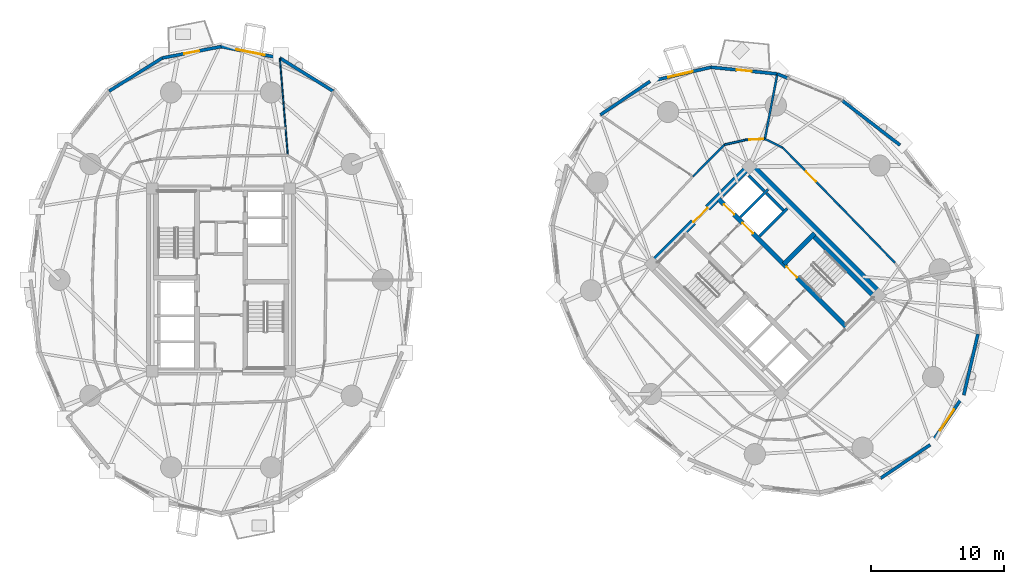
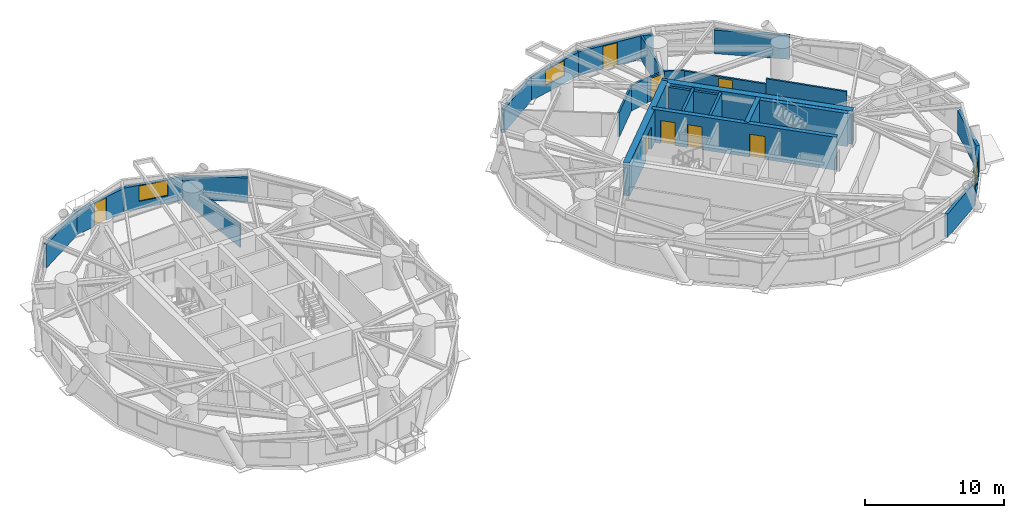
# One storey, part 14 of 18: 29 walls, 8 doors, 3 windows, 11 openings.
"""IFC4 building model written with IfcOpenShell, lengths in metres."""

from ifc_helpers import new_model, si_unit, direction, frame, frame_2d, origin, place, context, subcontext, project, spatial, rectangle, extrude, source, transform, mapped, material, layer, layer_set, type_object, element, fill, save


model = new_model("IFC4")

# Units and contexts
model_context = context("Model", 3, precision=1e-05, world=origin(), true_north=direction((0.0, 1.0)))
body_context = subcontext(model_context, "Body", "Model", "MODEL_VIEW")
ifc_project = project(units=[si_unit("LENGTHUNIT", "METRE"), si_unit("AREAUNIT", "SQUARE_METRE"), si_unit("VOLUMEUNIT", "CUBIC_METRE"), si_unit("PLANEANGLEUNIT", "RADIAN"), si_unit("MASSUNIT", "GRAM", prefix="KILO")], contexts=[model_context])

# Site, building, storey
site_placement = place(None, origin())
site = spatial("IfcSite", under=ifc_project, at=site_placement, CompositionType="ELEMENT")
building_placement = place(site_placement, origin())
building = spatial("IfcBuilding", under=site, at=building_placement, Name="Cununo Teusaquillo Station Towers", CompositionType="ELEMENT")
storey_placement = place(building_placement, frame((0.0, 0.0, 22.0)))
storey = spatial("IfcBuildingStorey", under=building, at=storey_placement, Name="L05", CompositionType="ELEMENT", Elevation=22.0)

# Walls
ifc_material_1 = material(Name="Concrete C50/60", Category="concrete")
ifc_layer_1 = layer(ifc_material_1, 0.199951171875)
ifc_layer_set_1 = layer_set([ifc_layer_1], Name="Concrete C50/60")
wall_type_1 = type_object("IfcWallType", Name="WL-CORE-200", PredefinedType="SHEAR", material=ifc_layer_set_1)
wall_1_placement = place(storey_placement, frame((57.0615234375, 27.781005859375, 0.0), z_axis=(0.0, 0.0, 1.0), x_axis=(0.707106781187, 0.707106781187, 0.0)))
element("IfcWall", 1, at=wall_1_placement, inside=storey, type_object=wall_type_1, Name="L05 Tower B Low-Rise Lift Hoistway South Shear Wall", PredefinedType="SHEAR", context=body_context, shape_type="SweptSolid", body=[
    extrude(rectangle(XDim=2.969970703125, YDim=0.199951171875, at=frame_2d((1.48486328125, 0.0))), origin(), (0.0, 0.0, 1.0), 2.909912109375),
])
wall_2_placement = place(storey_placement, frame((55.615478515625, 29.22705078125, 0.0), z_axis=(0.0, 0.0, 1.0), x_axis=(0.707147878904, 0.70706568108, 0.0)))
element("IfcWall", 2, at=wall_2_placement, inside=storey, type_object=wall_type_1, Name="L05 Tower B Low-Rise Lift Hoistway Divider Shear Wall", PredefinedType="SHEAR", context=body_context, shape_type="SweptSolid", body=[
    extrude(rectangle(XDim=2.97021484375, YDim=0.199951171875, at=frame_2d((1.485107421875, 0.0))), origin(), (0.0, 0.0, 1.0), 2.909912109375),
])
wall_3_placement = place(storey_placement, frame((58.86474609375, 29.75390625, 0.0), z_axis=(0.0, 0.0, 1.0), x_axis=(-0.707174411312, 0.707039144592, 0.0)))
element("IfcWall", 3, at=wall_3_placement, inside=storey, type_object=wall_type_1, Name="L05 Tower B Low-Rise Lift 1 Shaft Rear Shear Wall", PredefinedType="SHEAR", context=body_context, shape_type="SweptSolid", body=[
    extrude(rectangle(XDim=1.804931640625, YDim=0.199951171875, at=frame_2d((0.90234375, 0.0))), origin(), (0.0, 0.0, 1.0), 2.909912109375),
])
wall_4_placement = place(storey_placement, frame((57.418701171875, 31.19970703125, 0.0), z_axis=(0.0, 0.0, 1.0), x_axis=(-0.707032117043, 0.707181437447, 0.0)))
element("IfcWall", 4, at=wall_4_placement, inside=storey, type_object=wall_type_1, Name="L05 Tower B Low-Rise Lift 2 Shaft Rear Shear Wall", PredefinedType="SHEAR", context=body_context, shape_type="SweptSolid", body=[
    extrude(rectangle(XDim=1.635009765625, YDim=0.199951171875, at=frame_2d((0.8173828125, 0.0))), origin(), (0.0, 0.0, 1.0), 2.909912109375),
])

# Wall, openings, doors
ifc_material_2 = material(Name="Concrete C50/60", Category="concrete")
ifc_layer_2 = layer(ifc_material_2, 0.35009765625)
ifc_layer_set_2 = layer_set([ifc_layer_2], Name="Concrete C50/60")
wall_type_2 = type_object("IfcWallType", Name="WL-CORE-350", PredefinedType="SHEAR", material=ifc_layer_set_2)
wall_5_placement = place(storey_placement, frame((63.662353515625, 20.904296875, 0.0), z_axis=(0.0, 0.0, 1.0), x_axis=(-0.707106781187, 0.707106781187, 0.0)))
wall_5 = element("IfcWall", 5, at=wall_5_placement, inside=storey, type_object=wall_type_2, Name="L05 Tower B Core Shear Wall IE", PredefinedType="SHEAR", context=body_context, shape_type="SweptSolid", body=[
    extrude(rectangle(XDim=13.800048828125, YDim=0.35009765625, at=frame_2d((6.89990234375, 0.0))), origin(), (0.0, 0.0, 1.0), 2.909912109375),
])
shared_shape_1 = source(origin(), body_context, "Body", "SweptSolid", [
    extrude(rectangle(XDim=1.10009765625, YDim=2.014892578125, at=frame_2d((0.550048828125, 1.00732421875))), frame((0.0, 0.18505859375, 0.0), z_axis=(0.0, -1.0, 0.0), x_axis=(1.0, 0.0, 0.0)), (0.0, 0.0, 1.0), 0.3701171875),
])
opening_1_placement = place(wall_5_placement, frame((10.02490234375, 0.0, 0.0)))
opening_1 = element("IfcOpeningElement", 6, at=opening_1_placement, cuts=wall_5, Name="Opening LD-01", PredefinedType="OPENING", context=body_context, shape_type="MappedRepresentation", body=[
    mapped(shared_shape_1, transform((0.0, 0.0, 0.0), x_axis=(1.0, 0.0, 0.0), y_axis=(0.0, 1.0, 0.0), z_axis=(0.0, 0.0, 1.0), scale=1.0)),
])
opening_2_placement = place(wall_5_placement, frame((12.02490234375, 0.0, 0.0)))
opening_2 = element("IfcOpeningElement", 7, at=opening_2_placement, cuts=wall_5, Name="Opening LD-01", PredefinedType="OPENING", context=body_context, shape_type="MappedRepresentation", body=[
    mapped(shared_shape_1, transform((0.0, 0.0, 0.0), x_axis=(1.0, 0.0, 0.0), y_axis=(0.0, 1.0, 0.0), z_axis=(0.0, 0.0, 1.0), scale=1.0)),
])
shared_shape_2 = source(origin(), body_context, "Body", "SweptSolid", [
    extrude(rectangle(XDim=1.14990234375, YDim=2.02001953125, at=frame_2d((0.574951171875, 1.010009765625))), frame((0.0, 0.18505859375, 0.0), z_axis=(0.0, -1.0, 0.0), x_axis=(1.0, 0.0, 0.0)), (0.0, 0.0, 1.0), 0.3701171875),
])
opening_3_placement = place(wall_5_placement, frame((5.330078125, 0.0, 0.0)))
opening_3 = element("IfcOpeningElement", 8, at=opening_3_placement, cuts=wall_5, Name="Opening D-ST1", PredefinedType="OPENING", context=body_context, shape_type="MappedRepresentation", body=[
    mapped(shared_shape_2, transform((0.0, 0.0, 0.0), x_axis=(1.0, 0.0, 0.0), y_axis=(0.0, 1.0, 0.0), z_axis=(0.0, 0.0, 1.0), scale=1.0)),
])
ifc_material_3 = material(Name="Galvanised fire-rated hollow steel door assembly", Category="steel")
door_type_1 = type_object("IfcDoorType", Name="DR-LIFT-1100", OperationType="SLIDING_TO_LEFT", PredefinedType="DOOR", material=ifc_material_3)
shared_shape_3 = source(origin(), body_context, "Body", "SweptSolid", [
    extrude(rectangle(XDim=1.10009765625, YDim=2.014892578125, at=frame_2d((0.550048828125, 1.00732421875))), frame((0.0, 0.02490234375, 0.0), z_axis=(0.0, -1.0, 0.0), x_axis=(1.0, 0.0, 0.0)), (0.0, 0.0, 1.0), 0.050048828125),
])
door_1_placement = place(opening_1_placement, origin())
door_1 = element("IfcDoor", 9, at=door_1_placement, inside=storey, type_object=door_type_1, Name="L05 Lift PL-T2-L1 Sliding Landing Door", OperationType="SLIDING_TO_RIGHT", OverallHeight=2.014892578125, OverallWidth=1.10009765625, PredefinedType="DOOR", context=body_context, shape_type="MappedRepresentation", body=[
    mapped(shared_shape_3, transform((0.0, 0.0, 0.0), x_axis=(1.0, 0.0, 0.0), y_axis=(0.0, 1.0, 0.0), z_axis=(0.0, 0.0, 1.0), scale=1.0)),
])
fill(opening_1, door_1)
door_2_placement = place(opening_2_placement, origin())
door_2 = element("IfcDoor", 10, at=door_2_placement, inside=storey, type_object=door_type_1, Name="L05 Lift PL-T2-L2 Sliding Landing Door", OperationType="SLIDING_TO_LEFT", OverallHeight=2.014892578125, OverallWidth=1.10009765625, PredefinedType="DOOR", context=body_context, shape_type="MappedRepresentation", body=[
    mapped(shared_shape_3, transform((0.0, 0.0, 0.0), x_axis=(1.0, 0.0, 0.0), y_axis=(0.0, 1.0, 0.0), z_axis=(0.0, 0.0, 1.0), scale=1.0)),
])
fill(opening_2, door_2)
ifc_material_4 = material(Name="Galvanised fire-rated hollow steel door assembly", Category="steel")
door_type_2 = type_object("IfcDoorType", Name="DR-STAIR-1150", OperationType="NOTDEFINED", PredefinedType="DOOR", material=ifc_material_4)
shared_shape_4 = source(origin(), body_context, "Body", "SweptSolid", [
    extrude(rectangle(XDim=1.14990234375, YDim=2.02001953125, at=frame_2d((0.574951171875, 1.010009765625))), frame((0.0, 0.02490234375, 0.0), z_axis=(0.0, -1.0, 0.0), x_axis=(1.0, 0.0, 0.0)), (0.0, 0.0, 1.0), 0.050048828125),
])
door_3_placement = place(opening_3_placement, origin())
door_3 = element("IfcDoor", 11, at=door_3_placement, inside=storey, type_object=door_type_2, Name="L05 Tower B Exit Stair 2 Fire Door", OperationType="SINGLE_SWING_LEFT", OverallHeight=2.02001953125, OverallWidth=1.14990234375, PredefinedType="DOOR", context=body_context, shape_type="MappedRepresentation", body=[
    mapped(shared_shape_4, transform((0.0, 0.0, 0.0), x_axis=(1.0, 0.0, 0.0), y_axis=(0.0, 1.0, 0.0), z_axis=(0.0, 0.0, 1.0), scale=1.0)),
])
fill(opening_3, door_3)

# Walls
wall_6_placement = place(storey_placement, frame((65.847412109375, 23.08935546875, 0.0), z_axis=(0.0, 0.0, 1.0), x_axis=(-0.707106781187, 0.707106781187, 0.0)))
element("IfcWall", 12, at=wall_6_placement, inside=storey, type_object=wall_type_2, Name="L05 Tower B Core Shear Wall ST2E", PredefinedType="SHEAR", context=body_context, shape_type="SweptSolid", body=[
    extrude(rectangle(XDim=6.7451171875, YDim=0.35009765625, at=frame_2d((3.37255859375, 0.0))), origin(), (0.0, 0.0, 1.0), 2.909912109375),
])
wall_7_placement = place(storey_placement, frame((58.89306640625, 25.673828125, 0.0), z_axis=(0.0, 0.0, 1.0), x_axis=(0.707106781187, 0.707106781187, 0.0)))
element("IfcWall", 13, at=wall_7_placement, inside=storey, type_object=wall_type_2, Name="L05 Tower B Core Shear Wall ST2N", PredefinedType="SHEAR", context=body_context, shape_type="SweptSolid", body=[
    extrude(rectangle(XDim=3.284912109375, YDim=0.35009765625, at=frame_2d((1.642578125, 0.0))), origin(), (0.0, 0.0, 1.0), 2.909912109375),
])
ifc_material_5 = material(Name="Concrete C60/75", Category="concrete")
ifc_layer_3 = layer(ifc_material_5, 0.5)
ifc_layer_set_3 = layer_set([ifc_layer_3], Name="Concrete C60/75")
wall_type_3 = type_object("IfcWallType", Name="WL-CORE-500", PredefinedType="SHEAR", material=ifc_layer_set_3)
wall_8_placement = place(storey_placement, frame((66.3388671875, 23.227294921875, 0.0), z_axis=(0.0, 0.0, 1.0), x_axis=(-0.707106781187, 0.707106781187, 0.0)))
element("IfcWall", 14, at=wall_8_placement, inside=storey, type_object=wall_type_3, Name="L05 Tower B Core Shear Wall E", PredefinedType="SHEAR", context=body_context, shape_type="SweptSolid", body=[
    extrude(rectangle(XDim=14.2998046875, YDim=0.5, at=frame_2d((7.14990234375, 0.0))), origin(), (0.0, 0.0, 1.0), 2.909912109375),
])

# Wall, opening, door
wall_9_placement = place(storey_placement, frame((48.837890625, 25.595947265625, 0.0), z_axis=(0.0, 0.0, 1.0), x_axis=(0.707106781187, 0.707106781187, 0.0)))
wall_9 = element("IfcWall", 15, at=wall_9_placement, inside=storey, type_object=wall_type_3, Name="L05 Tower B Core Shear Wall N", PredefinedType="SHEAR", context=body_context, shape_type="SweptSolid", body=[
    extrude(rectangle(XDim=10.7001953125, YDim=0.5, at=frame_2d((5.35009765625, 0.0))), origin(), (0.0, 0.0, 1.0), 2.909912109375),
])
shared_shape_5 = source(origin(), body_context, "Body", "SweptSolid", [
    extrude(rectangle(XDim=1.5, YDim=2.02001953125, at=frame_2d((0.75, 1.010009765625))), frame((0.0, 0.260009765625, 0.0), z_axis=(0.0, -1.0, 0.0), x_axis=(1.0, 0.0, 0.0)), (0.0, 0.0, 1.0), 0.52001953125),
])
opening_4_placement = place(wall_9_placement, frame((4.60009765625, 0.0, 0.0)))
opening_4 = element("IfcOpeningElement", 16, at=opening_4_placement, cuts=wall_9, Name="Opening D-LB1", PredefinedType="OPENING", context=body_context, shape_type="MappedRepresentation", body=[
    mapped(shared_shape_5, transform((0.0, 0.0, 0.0), x_axis=(1.0, 0.0, 0.0), y_axis=(0.0, 1.0, 0.0), z_axis=(0.0, 0.0, 1.0), scale=1.0)),
])
ifc_material_6 = material(Name="Galvanised fire-rated hollow steel door assembly", Category="steel")
door_type_3 = type_object("IfcDoorType", Name="DR-LOBBY-1500", OperationType="DOUBLE_DOOR_SINGLE_SWING", PredefinedType="DOOR", material=ifc_material_6)
shared_shape_6 = source(origin(), body_context, "Body", "SweptSolid", [
    extrude(rectangle(XDim=1.5, YDim=2.02001953125, at=frame_2d((0.75, 1.010009765625))), frame((0.0, 0.02490234375, 0.0), z_axis=(0.0, -1.0, 0.0), x_axis=(1.0, 0.0, 0.0)), (0.0, 0.0, 1.0), 0.050048828125),
])
door_4_placement = place(opening_4_placement, origin())
door_4 = element("IfcDoor", 17, at=door_4_placement, inside=storey, type_object=door_type_3, Name="L05 Tower B North Core Lift Lobby Door", OperationType="DOUBLE_DOOR_SINGLE_SWING", OverallHeight=2.02001953125, OverallWidth=1.5, PredefinedType="DOOR", context=body_context, shape_type="MappedRepresentation", body=[
    mapped(shared_shape_6, transform((0.0, 0.0, 0.0), x_axis=(1.0, 0.0, 0.0), y_axis=(0.0, 1.0, 0.0), z_axis=(0.0, 0.0, 1.0), scale=1.0)),
])
fill(opening_4, door_4)

# Wall
ifc_material_7 = material(Name="Precast concrete C40/50", Category="concrete")
ifc_layer_4 = layer(ifc_material_7, 0.239990234375)
ifc_layer_set_4 = layer_set([ifc_layer_4], Name="Precast concrete C40/50")
wall_type_4 = type_object("IfcWallType", Name="WL-EXT-240", PredefinedType="SOLIDWALL", material=ifc_layer_set_4)
wall_10_placement = place(storey_placement, frame((20.934814453125, 41.210205078125, 0.0), z_axis=(0.0, 0.0, 1.0), x_axis=(0.848422721916, -0.529319265601, 0.0)))
element("IfcWall", 18, at=wall_10_placement, inside=storey, type_object=wall_type_4, Name="L05 Tower A Exterior Facade Wall C03", PredefinedType="SOLIDWALL", context=body_context, shape_type="SweptSolid", body=[
    extrude(rectangle(XDim=4.715087890625, YDim=0.239990234375, at=frame_2d((2.357421875, 0.0))), origin(), (0.0, 0.0, 1.0), 2.072998046875),
])

# Wall, opening, window
wall_11_placement = place(storey_placement, frame((16.5, 42.070068359375, 0.0), z_axis=(0.0, 0.0, 1.0), x_axis=(0.981717351035, -0.190344536766, 0.0)))
wall_11 = element("IfcWall", 19, at=wall_11_placement, inside=storey, type_object=wall_type_4, Name="L05 Tower A Exterior Facade Wall C04", PredefinedType="SOLIDWALL", context=body_context, shape_type="SweptSolid", body=[
    extrude(rectangle(XDim=4.517333984375, YDim=0.239990234375, at=frame_2d((2.2587890625, 0.0))), origin(), (0.0, 0.0, 1.0), 2.072998046875),
])
shared_shape_7 = source(origin(), body_context, "Body", "SweptSolid", [
    extrude(rectangle(XDim=2.199951171875, YDim=1.35009765625, at=frame_2d((1.10009765625, 0.675048828125))), frame((0.0, 0.1298828125, 0.0), z_axis=(0.0, -1.0, 0.0), x_axis=(1.0, 0.0, 0.0)), (0.0, 0.0, 1.0), 0.260009765625),
])
opening_5_placement = place(wall_11_placement, frame((1.158935546875, 0.0, 0.64990234375)))
opening_5 = element("IfcOpeningElement", 20, at=opening_5_placement, cuts=wall_11, Name="Opening WN-01", PredefinedType="OPENING", context=body_context, shape_type="MappedRepresentation", body=[
    mapped(shared_shape_7, transform((0.0, 0.0, 0.0), x_axis=(1.0, 0.0, 0.0), y_axis=(0.0, 1.0, 0.0), z_axis=(0.0, 0.0, 1.0), scale=1.0)),
])
ifc_material_8 = material(Name="Ceramic-fritted dark low-E double glazing", Category="glass")
window_type_1 = type_object("IfcWindowType", Name="WIN-FRIT-2200", PartitioningType="DOUBLE_PANEL_VERTICAL", PredefinedType="WINDOW", material=ifc_material_8)
shared_shape_8 = source(origin(), body_context, "Body", "SweptSolid", [
    extrude(rectangle(XDim=2.199951171875, YDim=1.35009765625, at=frame_2d((1.10009765625, 0.675048828125))), frame((0.0, 0.030029296875, 0.0), z_axis=(0.0, -1.0, 0.0), x_axis=(1.0, 0.0, 0.0)), (0.0, 0.0, 1.0), 0.06005859375),
])
window_1_placement = place(opening_5_placement, origin())
window_1 = element("IfcWindow", 21, at=window_1_placement, inside=storey, type_object=window_type_1, Name="L05 Tower A Facade Window C04", OverallHeight=1.35009765625, OverallWidth=2.199951171875, PartitioningType="DOUBLE_PANEL_VERTICAL", PredefinedType="WINDOW", context=body_context, shape_type="MappedRepresentation", body=[
    mapped(shared_shape_8, transform((0.0, 0.0, 0.0), x_axis=(1.0, 0.0, 0.0), y_axis=(0.0, 1.0, 0.0), z_axis=(0.0, 0.0, 1.0), scale=1.0)),
])
fill(opening_5, window_1)

# Wall, opening, door
wall_12_placement = place(storey_placement, frame((12.065185546875, 41.210205078125, 0.0), z_axis=(0.0, 0.0, 1.0), x_axis=(0.981717351035, 0.190344536766, 0.0)))
wall_12 = element("IfcWall", 22, at=wall_12_placement, inside=storey, type_object=wall_type_4, Name="L05 Tower A Exterior Facade Wall C05", PredefinedType="SOLIDWALL", context=body_context, shape_type="SweptSolid", body=[
    extrude(rectangle(XDim=4.517333984375, YDim=0.239990234375, at=frame_2d((2.2587890625, 0.0))), origin(), (0.0, 0.0, 1.0), 2.072998046875),
])
shared_shape_9 = source(origin(), body_context, "Body", "SweptSolid", [
    extrude(rectangle(XDim=1.14990234375, YDim=2.0048828125, at=frame_2d((0.574951171875, 1.00244140625))), frame((0.0, 0.1298828125, 0.0), z_axis=(0.0, -1.0, 0.0), x_axis=(1.0, 0.0, 0.0)), (0.0, 0.0, 1.0), 0.260009765625),
])
opening_6_placement = place(wall_12_placement, frame((1.68408203125, 0.0, 0.0)))
opening_6 = element("IfcOpeningElement", 23, at=opening_6_placement, cuts=wall_12, Name="Opening ED-03", PredefinedType="OPENING", context=body_context, shape_type="MappedRepresentation", body=[
    mapped(shared_shape_9, transform((0.0, 0.0, 0.0), x_axis=(1.0, 0.0, 0.0), y_axis=(0.0, 1.0, 0.0), z_axis=(0.0, 0.0, 1.0), scale=1.0)),
])
ifc_material_9 = material(Name="Anodised dark bronze aluminium EN AW-6063-T6", Category="aluminium")
door_type_4 = type_object("IfcDoorType", Name="DR-EXT-BAL", OperationType="NOTDEFINED", PredefinedType="DOOR", material=ifc_material_9)
shared_shape_10 = source(origin(), body_context, "Body", "SweptSolid", [
    extrude(rectangle(XDim=1.14990234375, YDim=2.0048828125, at=frame_2d((0.574951171875, 1.00244140625))), frame((0.0, 0.02490234375, 0.0), z_axis=(0.0, -1.0, 0.0), x_axis=(1.0, 0.0, 0.0)), (0.0, 0.0, 1.0), 0.050048828125),
])
door_5_placement = place(opening_6_placement, origin())
door_5 = element("IfcDoor", 24, at=door_5_placement, inside=storey, type_object=door_type_4, Name="L05 Tower A Tree Balcony Door C05", OperationType="SINGLE_SWING_LEFT", OverallHeight=2.0048828125, OverallWidth=1.14990234375, PredefinedType="DOOR", context=body_context, shape_type="MappedRepresentation", body=[
    mapped(shared_shape_10, transform((0.0, 0.0, 0.0), x_axis=(1.0, 0.0, 0.0), y_axis=(0.0, 1.0, 0.0), z_axis=(0.0, 0.0, 1.0), scale=1.0)),
])
fill(opening_6, door_5)

# Walls
wall_13_placement = place(storey_placement, frame((8.064697265625, 38.71435546875, 0.0), z_axis=(0.0, 0.0, 1.0), x_axis=(0.848422721916, 0.529319265601, 0.0)))
element("IfcWall", 25, at=wall_13_placement, inside=storey, type_object=wall_type_4, Name="L05 Tower A Exterior Facade Wall C06", PredefinedType="SOLIDWALL", context=body_context, shape_type="SweptSolid", body=[
    extrude(rectangle(XDim=4.715087890625, YDim=0.239990234375, at=frame_2d((2.357421875, 0.0))), origin(), (0.0, 0.0, 1.0), 2.072998046875),
])
wall_14_placement = place(storey_placement, frame((63.31201171875, 37.990234375, 0.0), z_axis=(0.0, 0.0, 1.0), x_axis=(0.791972010801, -0.610557396243, 0.0)))
element("IfcWall", 26, at=wall_14_placement, inside=storey, type_object=wall_type_4, Name="L05 Tower B Exterior Facade Wall C00", PredefinedType="SOLIDWALL", context=body_context, shape_type="SweptSolid", body=[
    extrude(rectangle(XDim=5.474609375, YDim=0.239990234375, at=frame_2d((2.7373046875, 0.0))), origin(), (0.0, 0.0, 1.0), 2.072998046875),
])
wall_15_placement = place(storey_placement, frame((58.406982421875, 40.01220703125, 0.0), z_axis=(0.0, 0.0, 1.0), x_axis=(0.924556017656, -0.381046152345, 0.0)))
element("IfcWall", 27, at=wall_15_placement, inside=storey, type_object=wall_type_4, Name="L05 Tower B Column Pier Cladding Wall C01-PA", PredefinedType="SOLIDWALL", context=body_context, shape_type="SweptSolid", body=[
    extrude(rectangle(XDim=0.8701171875, YDim=0.239990234375, at=frame_2d((0.43505859375, 0.0))), origin(), (0.0, 0.0, 1.0), 2.072998046875),
])

# Wall, opening, door
wall_16_placement = place(storey_placement, frame((53.41357421875, 40.515869140625, 0.0), z_axis=(0.0, 0.0, 1.0), x_axis=(0.994951574538, -0.100356187272, 0.0)))
wall_16 = element("IfcWall", 28, at=wall_16_placement, inside=storey, type_object=wall_type_4, Name="L05 Tower B Exterior Facade Wall C02", PredefinedType="SOLIDWALL", context=body_context, shape_type="SweptSolid", body=[
    extrude(rectangle(XDim=5.018798828125, YDim=0.239990234375, at=frame_2d((2.50927734375, 0.0))), origin(), (0.0, 0.0, 1.0), 2.072998046875),
])
opening_7_placement = place(wall_16_placement, frame((1.93408203125, 0.0, 0.0)))
opening_7 = element("IfcOpeningElement", 29, at=opening_7_placement, cuts=wall_16, Name="Opening ED-03", PredefinedType="OPENING", context=body_context, shape_type="MappedRepresentation", body=[
    mapped(shared_shape_9, transform((0.0, 0.0, 0.0), x_axis=(1.0, 0.0, 0.0), y_axis=(0.0, 1.0, 0.0), z_axis=(0.0, 0.0, 1.0), scale=1.0)),
])
door_6_placement = place(opening_7_placement, origin())
door_6 = element("IfcDoor", 30, at=door_6_placement, inside=storey, type_object=door_type_4, Name="L05 Tower B Tree Balcony Door C02", OperationType="SINGLE_SWING_LEFT", OverallHeight=2.0048828125, OverallWidth=1.14990234375, PredefinedType="DOOR", context=body_context, shape_type="MappedRepresentation", body=[
    mapped(shared_shape_10, transform((0.0, 0.0, 0.0), x_axis=(1.0, 0.0, 0.0), y_axis=(0.0, 1.0, 0.0), z_axis=(0.0, 0.0, 1.0), scale=1.0)),
])
fill(opening_7, door_6)

# Wall, opening, window
wall_17_placement = place(storey_placement, frame((48.820068359375, 39.45166015625, 0.0), z_axis=(0.0, 0.0, 1.0), x_axis=(0.974197104074, 0.225698919833, 0.0)))
wall_17 = element("IfcWall", 31, at=wall_17_placement, inside=storey, type_object=wall_type_4, Name="L05 Tower B Exterior Facade Wall C03", PredefinedType="SOLIDWALL", context=body_context, shape_type="SweptSolid", body=[
    extrude(rectangle(XDim=4.715087890625, YDim=0.239990234375, at=frame_2d((2.357421875, 0.0))), origin(), (0.0, 0.0, 1.0), 2.072998046875),
])
shared_shape_11 = source(origin(), body_context, "Body", "SweptSolid", [
    extrude(rectangle(XDim=1.89990234375, YDim=1.35009765625, at=frame_2d((0.949951171875, 0.675048828125))), frame((0.0, 0.1298828125, 0.0), z_axis=(0.0, -1.0, 0.0), x_axis=(1.0, 0.0, 0.0)), (0.0, 0.0, 1.0), 0.260009765625),
])
opening_8_placement = place(wall_17_placement, frame((1.407958984375, 0.0, 0.64990234375)))
opening_8 = element("IfcOpeningElement", 32, at=opening_8_placement, cuts=wall_17, Name="Opening WN-02", PredefinedType="OPENING", context=body_context, shape_type="MappedRepresentation", body=[
    mapped(shared_shape_11, transform((0.0, 0.0, 0.0), x_axis=(1.0, 0.0, 0.0), y_axis=(0.0, 1.0, 0.0), z_axis=(0.0, 0.0, 1.0), scale=1.0)),
])
ifc_material_10 = material(Name="Operable acoustic tinted low-E double glazing", Category="glass")
window_type_2 = type_object("IfcWindowType", Name="WIN-OPER-1900", PartitioningType="DOUBLE_PANEL_VERTICAL", PredefinedType="WINDOW", material=ifc_material_10)
shared_shape_12 = source(origin(), body_context, "Body", "SweptSolid", [
    extrude(rectangle(XDim=1.89990234375, YDim=1.35009765625, at=frame_2d((0.949951171875, 0.675048828125))), frame((0.0, 0.030029296875, 0.0), z_axis=(0.0, -1.0, 0.0), x_axis=(1.0, 0.0, 0.0)), (0.0, 0.0, 1.0), 0.06005859375),
])
window_2_placement = place(opening_8_placement, origin())
window_2 = element("IfcWindow", 33, at=window_2_placement, inside=storey, type_object=window_type_2, Name="L05 Tower B Facade Window C03", OverallHeight=1.35009765625, OverallWidth=1.89990234375, PartitioningType="DOUBLE_PANEL_VERTICAL", PredefinedType="WINDOW", context=body_context, shape_type="MappedRepresentation", body=[
    mapped(shared_shape_12, transform((0.0, 0.0, 0.0), x_axis=(1.0, 0.0, 0.0), y_axis=(0.0, 1.0, 0.0), z_axis=(0.0, 0.0, 1.0), scale=1.0)),
])
fill(opening_8, window_2)

# Walls
for number, where, z_axis, x_axis, name in (
    (34, (45.076171875, 36.923828125, 0.0), (0.0, 0.0, 1.0), (0.828776615238, 0.559579594012, 0.0), "L05 Tower B Exterior Facade Wall C04"),
    (35, (69.923828125, 12.076171875, 0.0), (0.0, 0.0, 1.0), (-0.828776615238, -0.559579594012, 0.0), "L05 Tower B Exterior Facade Wall C14"),
):
    element("IfcWall", number, at=place(storey_placement, frame(where, z_axis=z_axis, x_axis=x_axis)), inside=storey, type_object=wall_type_4, Name=name, PredefinedType="SOLIDWALL", context=body_context, shape_type="SweptSolid", body=[
        extrude(rectangle(XDim=4.517333984375, YDim=0.239990234375, at=frame_2d((2.2587890625, 0.0))), origin(), (0.0, 0.0, 1.0), 2.072998046875),
    ])

# Wall, opening, window
wall_18_placement = place(storey_placement, frame((72.45166015625, 15.820068359375, 0.0), z_axis=(0.0, 0.0, 1.0), x_axis=(-0.559579594012, -0.828776615238, 0.0)))
wall_18 = element("IfcWall", 36, at=wall_18_placement, inside=storey, type_object=wall_type_4, Name="L05 Tower B Exterior Facade Wall C15", PredefinedType="SOLIDWALL", context=body_context, shape_type="SweptSolid", body=[
    extrude(rectangle(XDim=4.517333984375, YDim=0.239990234375, at=frame_2d((2.2587890625, 0.0))), origin(), (0.0, 0.0, 1.0), 2.072998046875),
])
opening_9_placement = place(wall_18_placement, frame((1.30908203125, 0.0, 0.64990234375)))
opening_9 = element("IfcOpeningElement", 37, at=opening_9_placement, cuts=wall_18, Name="Opening WN-02", PredefinedType="OPENING", context=body_context, shape_type="MappedRepresentation", body=[
    mapped(shared_shape_11, transform((0.0, 0.0, 0.0), x_axis=(1.0, 0.0, 0.0), y_axis=(0.0, 1.0, 0.0), z_axis=(0.0, 0.0, 1.0), scale=1.0)),
])
window_3_placement = place(opening_9_placement, origin())
window_3 = element("IfcWindow", 38, at=window_3_placement, inside=storey, type_object=window_type_2, Name="L05 Tower B Facade Window C15", OverallHeight=1.35009765625, OverallWidth=1.89990234375, PartitioningType="DOUBLE_PANEL_VERTICAL", PredefinedType="WINDOW", context=body_context, shape_type="MappedRepresentation", body=[
    mapped(shared_shape_12, transform((0.0, 0.0, 0.0), x_axis=(1.0, 0.0, 0.0), y_axis=(0.0, 1.0, 0.0), z_axis=(0.0, 0.0, 1.0), scale=1.0)),
])
fill(opening_9, window_3)

# Walls
wall_19_placement = place(storey_placement, frame((73.515869140625, 20.41357421875, 0.0), z_axis=(0.0, 0.0, 1.0), x_axis=(-0.225698919833, -0.974197104074, 0.0)))
element("IfcWall", 39, at=wall_19_placement, inside=storey, type_object=wall_type_4, Name="L05 Tower B Exterior Facade Wall C16", PredefinedType="SOLIDWALL", context=body_context, shape_type="SweptSolid", body=[
    extrude(rectangle(XDim=4.715087890625, YDim=0.239990234375, at=frame_2d((2.357421875, 0.0))), origin(), (0.0, 0.0, 1.0), 2.072998046875),
])
ifc_material_11 = material(Name="Fire-rated gypsum plasterboard partition assembly", Category="gypsum")
ifc_layer_5 = layer(ifc_material_11, 0.10009765625)
ifc_layer_set_5 = layer_set([ifc_layer_5], Name="Fire-rated gypsum plasterboard partition assembly")
wall_type_5 = type_object("IfcWallType", Name="WL-PART-100", PredefinedType="MOVABLE", material=ifc_layer_set_5)
wall_20_placement = place(storey_placement, frame((21.52685546875, 33.873291015625, 0.0), z_axis=(0.0, 0.0, 1.0), x_axis=(-0.081501553037, 0.996673214676, 0.0)))
element("IfcWall", 40, at=wall_20_placement, inside=storey, type_object=wall_type_5, Name="L05 Tower A Radial Suite Partition R02", PredefinedType="MOVABLE", context=body_context, shape_type="SweptSolid", body=[
    extrude(rectangle(XDim=7.342041015625, YDim=0.10009765625, at=frame_2d((3.6708984375, 0.0))), origin(), (0.0, 0.0, 1.0), 2.072998046875),
])

# Wall, opening, door
ifc_material_12 = material(Name="Fire-rated gypsum plasterboard partition assembly", Category="gypsum")
ifc_layer_6 = layer(ifc_material_12, 0.14990234375)
ifc_layer_set_6 = layer_set([ifc_layer_6], Name="Fire-rated gypsum plasterboard partition assembly")
wall_type_6 = type_object("IfcWallType", Name="WL-PART-150", PredefinedType="PARTITIONING", material=ifc_layer_set_6)
wall_21_placement = place(storey_placement, frame((63.086181640625, 30.086181640625, 0.0), z_axis=(0.0, 0.0, 1.0), x_axis=(-0.699075897379, 0.715047473741, 0.0)))
wall_21 = element("IfcWall", 41, at=wall_21_placement, inside=storey, type_object=wall_type_6, Name="L05 Tower B Corridor Ring Wall C00", PredefinedType="PARTITIONING", context=body_context, shape_type="SweptSolid", body=[
    extrude(rectangle(XDim=6.1142578125, YDim=0.14990234375, at=frame_2d((3.05712890625, 0.0))), origin(), (0.0, 0.0, 1.0), 2.158935546875),
])
shared_shape_13 = source(origin(), body_context, "Body", "SweptSolid", [
    extrude(rectangle(XDim=1.050048828125, YDim=2.014892578125, at=frame_2d((0.52490234375, 1.00732421875))), frame((0.0, 0.0849609375, 0.0), z_axis=(0.0, -1.0, 0.0), x_axis=(1.0, 0.0, 0.0)), (0.0, 0.0, 1.0), 0.169921875),
])
opening_10_placement = place(wall_21_placement, frame((2.5322265625, 0.0, 0.0)))
opening_10 = element("IfcOpeningElement", 42, at=opening_10_placement, cuts=wall_21, Name="Opening D-SU1", PredefinedType="OPENING", context=body_context, shape_type="MappedRepresentation", body=[
    mapped(shared_shape_13, transform((0.0, 0.0, 0.0), x_axis=(1.0, 0.0, 0.0), y_axis=(0.0, 1.0, 0.0), z_axis=(0.0, 0.0, 1.0), scale=1.0)),
])
ifc_material_13 = material(Name="Acoustic solid-core hardwood leaf assembly", Category="wood")
door_type_5 = type_object("IfcDoorType", Name="DR-SUITE-1050", OperationType="NOTDEFINED", PredefinedType="DOOR", material=ifc_material_13)
shared_shape_14 = source(origin(), body_context, "Body", "SweptSolid", [
    extrude(rectangle(XDim=1.050048828125, YDim=2.014892578125, at=frame_2d((0.52490234375, 1.00732421875))), frame((0.0, 0.02490234375, 0.0), z_axis=(0.0, -1.0, 0.0), x_axis=(1.0, 0.0, 0.0)), (0.0, 0.0, 1.0), 0.050048828125),
])
door_7_placement = place(opening_10_placement, origin())
door_7 = element("IfcDoor", 43, at=door_7_placement, inside=storey, type_object=door_type_5, Name="L05 Tower B Grand Conference Salon Entrance Door", OperationType="SINGLE_SWING_LEFT", OverallHeight=2.014892578125, OverallWidth=1.050048828125, PredefinedType="DOOR", context=body_context, shape_type="MappedRepresentation", body=[
    mapped(shared_shape_14, transform((0.0, 0.0, 0.0), x_axis=(1.0, 0.0, 0.0), y_axis=(0.0, 1.0, 0.0), z_axis=(0.0, 0.0, 1.0), scale=1.0)),
])
fill(opening_10, door_7)

# Wall
wall_22_placement = place(storey_placement, frame((58.811767578125, 34.458251953125, 0.0), z_axis=(0.0, 0.0, 1.0), x_axis=(-0.899559490277, 0.436798264021, 0.0)))
element("IfcWall", 44, at=wall_22_placement, inside=storey, type_object=wall_type_6, Name="L05 Tower B Corridor Ring Wall C01", PredefinedType="PARTITIONING", context=body_context, shape_type="SweptSolid", body=[
    extrude(rectangle(XDim=1.4951171875, YDim=0.14990234375, at=frame_2d((0.74755859375, 0.0))), origin(), (0.0, 0.0, 1.0), 2.205078125),
])

# Wall, opening, door
wall_23_placement = place(storey_placement, frame((57.466796875, 35.111328125, 0.0), z_axis=(0.0, 0.0, 1.0), x_axis=(-0.998691757323, -0.051134859488, 0.0)))
wall_23 = element("IfcWall", 45, at=wall_23_placement, inside=storey, type_object=wall_type_6, Name="L05 Tower B Corridor Ring Wall C02", PredefinedType="PARTITIONING", context=body_context, shape_type="SweptSolid", body=[
    extrude(rectangle(XDim=1.48486328125, YDim=0.14990234375, at=frame_2d((0.742431640625, 0.0))), origin(), (0.0, 0.0, 1.0), 2.158935546875),
])
opening_11_placement = place(wall_23_placement, frame((0.1201171875, 0.0, 0.0)))
opening_11 = element("IfcOpeningElement", 46, at=opening_11_placement, cuts=wall_23, Name="Opening D-SU1", PredefinedType="OPENING", context=body_context, shape_type="MappedRepresentation", body=[
    mapped(shared_shape_13, transform((0.0, 0.0, 0.0), x_axis=(1.0, 0.0, 0.0), y_axis=(0.0, 1.0, 0.0), z_axis=(0.0, 0.0, 1.0), scale=1.0)),
])
door_8_placement = place(opening_11_placement, origin())
door_8 = element("IfcDoor", 47, at=door_8_placement, inside=storey, type_object=door_type_5, Name="L05 Tower B Simultaneous Interpretation Hall Entrance Door", OperationType="SINGLE_SWING_RIGHT", OverallHeight=2.014892578125, OverallWidth=1.050048828125, PredefinedType="DOOR", context=body_context, shape_type="MappedRepresentation", body=[
    mapped(shared_shape_14, transform((0.0, 0.0, 0.0), x_axis=(1.0, 0.0, 0.0), y_axis=(0.0, 1.0, 0.0), z_axis=(0.0, 0.0, 1.0), scale=1.0)),
])
fill(opening_11, door_8)

# Walls
wall_24_placement = place(storey_placement, frame((55.98388671875, 35.035400390625, 0.0), z_axis=(0.0, 0.0, 1.0), x_axis=(-0.975290305708, -0.22092718165, 0.0)))
element("IfcWall", 48, at=wall_24_placement, inside=storey, type_object=wall_type_6, Name="L05 Tower B Corridor Ring Wall C03", PredefinedType="PARTITIONING", context=body_context, shape_type="SweptSolid", body=[
    extrude(rectangle(XDim=1.596923828125, YDim=0.14990234375, at=frame_2d((0.79833984375, 0.0))), origin(), (0.0, 0.0, 1.0), 2.205078125),
])
wall_25_placement = place(storey_placement, frame((54.426513671875, 34.6826171875, 0.0), z_axis=(0.0, 0.0, 1.0), x_axis=(-0.704178989986, -0.710022499687, 0.0)))
element("IfcWall", 49, at=wall_25_placement, inside=storey, type_object=wall_type_6, Name="L05 Tower B Corridor Ring Wall C04", PredefinedType="PARTITIONING", context=body_context, shape_type="SweptSolid", body=[
    extrude(rectangle(XDim=3.38427734375, YDim=0.14990234375, at=frame_2d((1.692138671875, 0.0))), origin(), (0.0, 0.0, 1.0), 2.158935546875),
])
wall_26_placement = place(storey_placement, frame((67.270263671875, 25.77978515625, 0.0), z_axis=(0.0, 0.0, 1.0), x_axis=(-0.696847842907, 0.717218992942, 0.0)))
element("IfcWall", 50, at=wall_26_placement, inside=storey, type_object=wall_type_6, Name="L05 Tower B Corridor Ring Wall C19", PredefinedType="PARTITIONING", context=body_context, shape_type="SweptSolid", body=[
    extrude(rectangle(XDim=6.00439453125, YDim=0.14990234375, at=frame_2d((3.002197265625, 0.0))), origin(), (0.0, 0.0, 1.0), 2.635009765625),
])
ifc_material_14 = material(Name="Fire-rated gypsum plasterboard partition assembly", Category="gypsum")
ifc_layer_7 = layer(ifc_material_14, 0.159912109375)
ifc_layer_set_7 = layer_set([ifc_layer_7], Name="Fire-rated gypsum plasterboard partition assembly")
wall_type_7 = type_object("IfcWallType", Name="WL-PART-160", PredefinedType="PARTITIONING", material=ifc_layer_set_7)
wall_27_placement = place(storey_placement, frame((57.466796875, 35.111328125, 0.0), z_axis=(0.0, 0.0, 1.0), x_axis=(0.188572285328, 0.982059312468, 0.0)))
element("IfcWall", 51, at=wall_27_placement, inside=storey, type_object=wall_type_7, Name="L05 Tower B Radial Suite Partition R01", PredefinedType="PARTITIONING", context=body_context, shape_type="SweptSolid", body=[
    extrude(rectangle(XDim=4.97021484375, YDim=0.159912109375, at=frame_2d((2.485107421875, 0.0))), origin(), (0.0, 0.0, 1.0), 2.072998046875),
])

save(model, "model.ifc")
